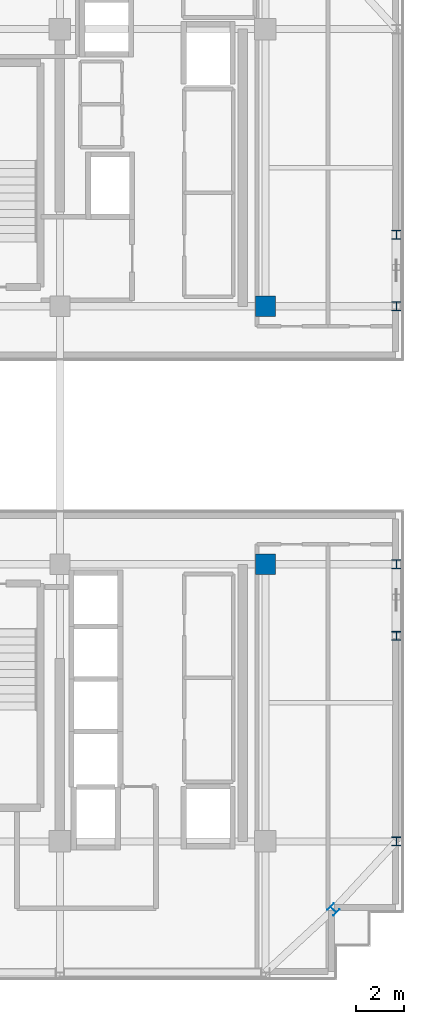
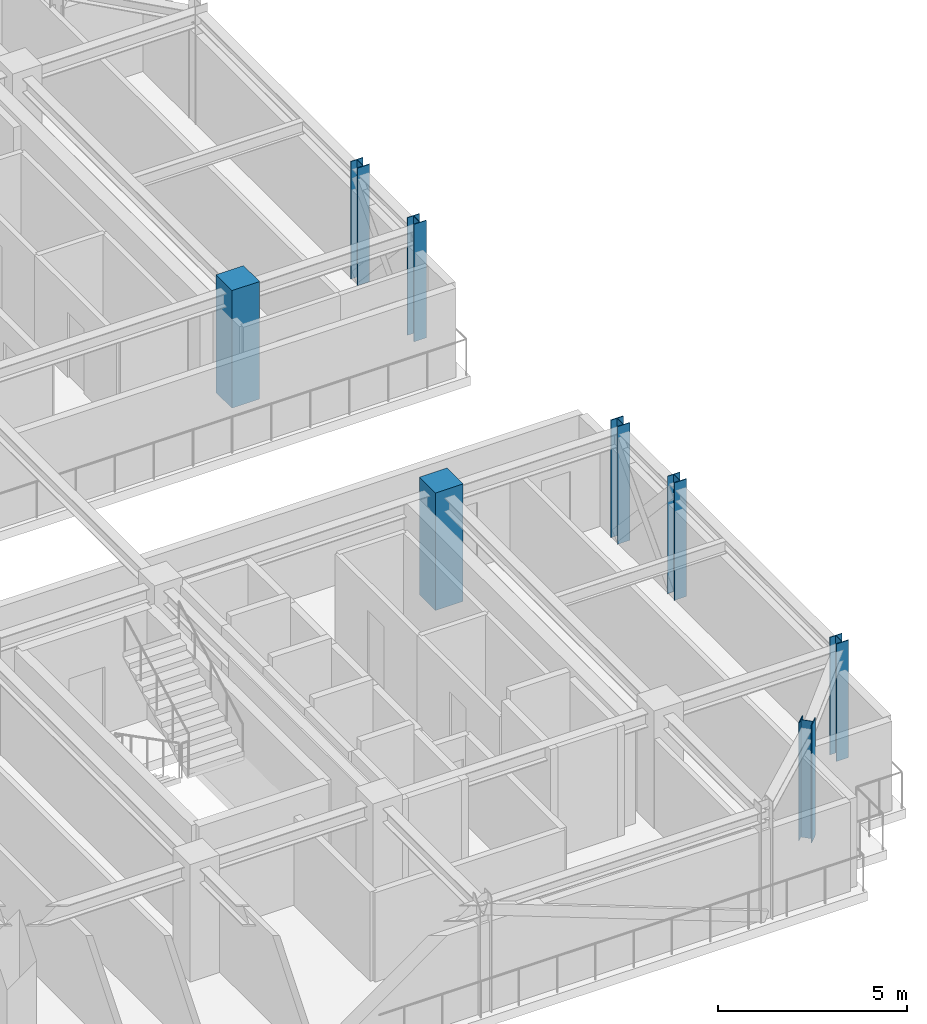
# One storey, part 2 of 14: 8 columns.
"""IFC4 building model written with IfcOpenShell, lengths in metres."""

from ifc_helpers import new_model, si_unit, direction, frame, origin, origin_2d, place, context, subcontext, project, spatial, rectangle, i_section, extrude, source, transform, mapped, material, material_profile, profile_set, type_object, element, save


model = new_model("IFC4")

# Units and contexts
model_context = context("Model", 3, precision=1e-05, world=origin(), true_north=direction((0.0, 1.0)))
body_context = subcontext(model_context, "Body", "Model", "MODEL_VIEW")
ifc_project = project(units=[si_unit("LENGTHUNIT", "METRE"), si_unit("AREAUNIT", "SQUARE_METRE"), si_unit("VOLUMEUNIT", "CUBIC_METRE"), si_unit("PLANEANGLEUNIT", "RADIAN"), si_unit("MASSUNIT", "GRAM", prefix="KILO")], contexts=[model_context])

# Site, building, storey
site_placement = place(None, origin())
site = spatial("IfcSite", under=ifc_project, at=site_placement, CompositionType="ELEMENT")
building_placement = place(site_placement, origin())
building = spatial("IfcBuilding", under=site, at=building_placement, Name="Nahalor Promenade Grand Hotel", CompositionType="ELEMENT")
storey_placement = place(building_placement, frame((0.0, 0.0, 300.35009765625)))
storey = spatial("IfcBuildingStorey", under=building, at=storey_placement, Name="L77", CompositionType="ELEMENT", Elevation=300.35009765625)

# Columns
ifc_material_1 = material(Name="Concrete B-70 (C60/75)", Category="concrete")
ifc_material_profile_1 = material_profile(ifc_material_1, rectangle(XDim=0.85, YDim=0.85, at=origin_2d()), Name="RC 850x850")
ifc_profile_set_1 = profile_set([ifc_material_profile_1], Name="Concrete B-70 (C60/75)")
column_type_1 = type_object("IfcColumnType", Name="Col-Pilaster-850", PredefinedType="PILASTER", material=ifc_profile_set_1)
shared_shape_1 = source(origin(), body_context, "Body", "SweptSolid", [
    extrude(rectangle(XDim=0.85, YDim=0.85, at=origin_2d()), origin(), (0.0, 0.0, 1.0), 3.804931640625),
])
for number, where, z_axis, x_axis, name in (
    (1, (17.0, -5.39990234375, 0.0), (0.0, 0.0, 1.0), (1.0, 0.0, 0.0), "COL-L77-I51"),
    (2, (17.0, 5.39990234375, 0.0), (0.0, 0.0, 1.0), (1.0, 0.0, 0.0), "COL-L77-I52"),
):
    element("IfcColumn", number, at=place(storey_placement, frame(where, z_axis=z_axis, x_axis=x_axis)), inside=storey, type_object=column_type_1, Name=name, PredefinedType="PILASTER", context=body_context, shape_type="MappedRepresentation", body=[
        mapped(shared_shape_1, transform((0.0, 0.0, 0.0), scale=1.0)),
    ])
ifc_material_2 = material(Name="Steel S355JR", Category="steel")
ifc_material_profile_2 = material_profile(ifc_material_2, i_section(OverallWidth=0.374, OverallDepth=0.374, WebThickness=0.0144, FlangeThickness=0.0229, at=origin_2d()), Name="HD 360x262")
ifc_profile_set_2 = profile_set([ifc_material_profile_2], Name="Steel S355JR")
column_type_2 = type_object("IfcColumnType", Name="Col-Steel-HD262", PredefinedType="COLUMN", material=ifc_profile_set_2)
shared_shape_2 = source(origin(), body_context, "Body", "SweptSolid", [
    extrude(i_section(OverallWidth=0.374, OverallDepth=0.374, WebThickness=0.0144, FlangeThickness=0.0229, at=origin_2d()), origin(), (0.0, 0.0, 1.0), 3.804931640625),
])
for number, where, z_axis, x_axis, name in (
    (3, (22.47998046875, -17.0, 0.0), (0.0, 0.0, 1.0), (1.0, 0.0, 0.0), "COL-L77-PW-E0"),
    (4, (22.47998046875, -8.39990234375, 0.0), (0.0, 0.0, 1.0), (1.0, 0.0, 0.0), "COL-L77-PW-E1"),
    (5, (22.47998046875, -5.39990234375, 0.0), (0.0, 0.0, 1.0), (1.0, 0.0, 0.0), "COL-L77-PW-E2"),
    (6, (22.47998046875, 5.39990234375, 0.0), (0.0, 0.0, 1.0), (1.0, 0.0, 0.0), "COL-L77-PW-E3"),
    (7, (22.47998046875, 8.39990234375, 0.0), (0.0, 0.0, 1.0), (1.0, 0.0, 0.0), "COL-L77-PW-E4"),
    (8, (19.85009765625, -19.85009765625, 0.0), (0.0, 0.0, 1.0), (0.707106781187, 0.707106781187, 0.0), "COL-L77-CRN-SE"),
):
    element("IfcColumn", number, at=place(storey_placement, frame(where, z_axis=z_axis, x_axis=x_axis)), inside=storey, type_object=column_type_2, Name=name, PredefinedType="COLUMN", context=body_context, shape_type="MappedRepresentation", body=[
        mapped(shared_shape_2, transform((0.0, 0.0, 0.0), scale=1.0)),
    ])

save(model, "model.ifc")
